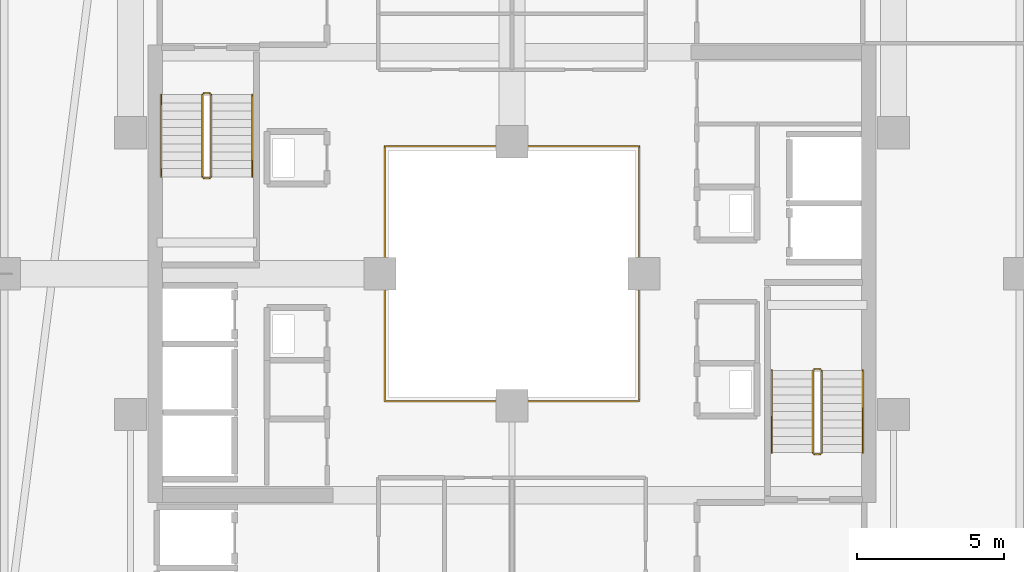
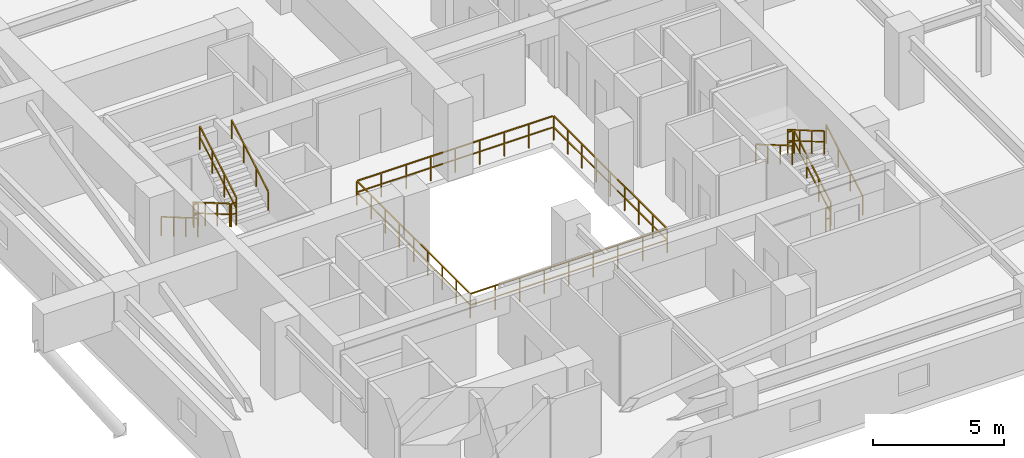
# One storey, part 35 of 36: 13 railings.
"""IFC4 building model written with IfcOpenShell, lengths in metres."""

from ifc_helpers import new_model, si_unit, direction, frame, origin, origin_2d, place, context, subcontext, project, spatial, rectangle, extrude, material, type_object, element, save


model = new_model("IFC4")

# Units and contexts
model_context = context("Model", 3, precision=1e-05, world=origin(), true_north=direction((0.0, 1.0)))
body_context = subcontext(model_context, "Body", "Model", "MODEL_VIEW")
ifc_project = project(units=[si_unit("LENGTHUNIT", "METRE"), si_unit("AREAUNIT", "SQUARE_METRE"), si_unit("VOLUMEUNIT", "CUBIC_METRE"), si_unit("PLANEANGLEUNIT", "RADIAN"), si_unit("MASSUNIT", "GRAM", prefix="KILO")], contexts=[model_context])

# Site, building, storey
site_placement = place(None, origin())
site = spatial("IfcSite", under=ifc_project, at=site_placement, CompositionType="ELEMENT")
building_placement = place(site_placement, origin())
building = spatial("IfcBuilding", under=site, at=building_placement, Name="Thornwick Lancets Civic Towers", CompositionType="ELEMENT")
storey_placement = place(building_placement, frame((0.0, 0.0, 170.699951171875)))
storey = spatial("IfcBuildingStorey", under=building, at=storey_placement, Name="L45", CompositionType="ELEMENT", Elevation=170.699951171875)

# Railings
ifc_material_1 = material(Name="Laminated glass and bronze steel S355", Category="steel")
railing_type_1 = type_object("IfcRailingType", Name="RAIL_ATRIUM_GUARD", PredefinedType="BALUSTRADE", material=ifc_material_1)
railing_1_placement = place(storey_placement, frame((84.159912109375, 22.659912109375, 0.0)))
element("IfcRailing", 1, at=railing_1_placement, inside=storey, type_object=railing_type_1, Name="L45 Tower B Central Atrium Guard Balustrade", PredefinedType="BALUSTRADE", context=body_context, shape_type="SweptSolid", body=[
    extrude(rectangle(XDim=0.048095703125, YDim=0.048095703125, at=origin_2d()), frame((0.0, 0.0, 1.1259765625), z_axis=(1.0, 0.0, 0.0), x_axis=(0.0, 1.0, 0.0)), (0.0, 0.0, 1.0), 8.64892578125),
    extrude(rectangle(XDim=0.0419921875, YDim=0.0419921875, at=origin_2d()), frame((0.03759765625, 0.0, 0.597900390625), z_axis=(1.0, 0.0, 0.0), x_axis=(0.0, 1.0, 0.0)), (0.0, 0.0, 1.0), 1.010009765625),
    extrude(rectangle(XDim=0.0419921875, YDim=0.0419921875, at=origin_2d()), frame((1.12255859375, 0.0, 0.597900390625), z_axis=(1.0, 0.0, 0.0), x_axis=(0.0, 1.0, 0.0)), (0.0, 0.0, 1.0), 1.010009765625),
    extrude(rectangle(XDim=0.0419921875, YDim=0.0419921875, at=origin_2d()), frame((2.20751953125, 0.0, 0.597900390625), z_axis=(1.0, 0.0, 0.0), x_axis=(0.0, 1.0, 0.0)), (0.0, 0.0, 1.0), 1.010009765625),
    extrude(rectangle(XDim=0.0419921875, YDim=0.0419921875, at=origin_2d()), frame((3.29248046875, 0.0, 0.597900390625), z_axis=(1.0, 0.0, 0.0), x_axis=(0.0, 1.0, 0.0)), (0.0, 0.0, 1.0), 1.010009765625),
    extrude(rectangle(XDim=0.0419921875, YDim=0.0419921875, at=origin_2d()), frame((4.377685546875, 0.0, 0.597900390625), z_axis=(1.0, 0.0, 0.0), x_axis=(0.0, 1.0, 0.0)), (0.0, 0.0, 1.0), 1.010009765625),
    extrude(rectangle(XDim=0.0419921875, YDim=0.0419921875, at=origin_2d()), frame((5.462646484375, 0.0, 0.597900390625), z_axis=(1.0, 0.0, 0.0), x_axis=(0.0, 1.0, 0.0)), (0.0, 0.0, 1.0), 1.010009765625),
    extrude(rectangle(XDim=0.0419921875, YDim=0.0419921875, at=origin_2d()), frame((6.547607421875, 0.0, 0.597900390625), z_axis=(1.0, 0.0, 0.0), x_axis=(0.0, 1.0, 0.0)), (0.0, 0.0, 1.0), 1.010009765625),
    extrude(rectangle(XDim=0.0419921875, YDim=0.0419921875, at=origin_2d()), frame((7.632568359375, 0.0, 0.597900390625), z_axis=(1.0, 0.0, 0.0), x_axis=(0.0, 1.0, 0.0)), (0.0, 0.0, 1.0), 1.010009765625),
    extrude(rectangle(XDim=0.048095703125, YDim=0.048095703125, at=origin_2d()), frame((8.68017578125, 0.03125, 1.1259765625), z_axis=(0.0, 1.0, 0.0), x_axis=(-1.0, 0.0, 0.0)), (0.0, 0.0, 1.0), 8.61767578125),
    extrude(rectangle(XDim=0.0419921875, YDim=0.0419921875, at=origin_2d()), frame((8.68017578125, 0.03759765625, 0.597900390625), z_axis=(0.0, 1.0, 0.0), x_axis=(-1.0, 0.0, 0.0)), (0.0, 0.0, 1.0), 1.010009765625),
    extrude(rectangle(XDim=0.0419921875, YDim=0.0419921875, at=origin_2d()), frame((8.68017578125, 1.12255859375, 0.597900390625), z_axis=(0.0, 1.0, 0.0), x_axis=(-1.0, 0.0, 0.0)), (0.0, 0.0, 1.0), 1.010009765625),
    extrude(rectangle(XDim=0.0419921875, YDim=0.0419921875, at=origin_2d()), frame((8.68017578125, 2.20751953125, 0.597900390625), z_axis=(0.0, 1.0, 0.0), x_axis=(-1.0, 0.0, 0.0)), (0.0, 0.0, 1.0), 1.010009765625),
    extrude(rectangle(XDim=0.0419921875, YDim=0.0419921875, at=origin_2d()), frame((8.68017578125, 3.29248046875, 0.597900390625), z_axis=(0.0, 1.0, 0.0), x_axis=(-1.0, 0.0, 0.0)), (0.0, 0.0, 1.0), 1.010009765625),
    extrude(rectangle(XDim=0.0419921875, YDim=0.0419921875, at=origin_2d()), frame((8.68017578125, 4.377685546875, 0.597900390625), z_axis=(0.0, 1.0, 0.0), x_axis=(-1.0, 0.0, 0.0)), (0.0, 0.0, 1.0), 1.010009765625),
    extrude(rectangle(XDim=0.0419921875, YDim=0.0419921875, at=origin_2d()), frame((8.68017578125, 5.462646484375, 0.597900390625), z_axis=(0.0, 1.0, 0.0), x_axis=(-1.0, 0.0, 0.0)), (0.0, 0.0, 1.0), 1.010009765625),
    extrude(rectangle(XDim=0.0419921875, YDim=0.0419921875, at=origin_2d()), frame((8.68017578125, 6.547607421875, 0.597900390625), z_axis=(0.0, 1.0, 0.0), x_axis=(-1.0, 0.0, 0.0)), (0.0, 0.0, 1.0), 1.010009765625),
    extrude(rectangle(XDim=0.0419921875, YDim=0.0419921875, at=origin_2d()), frame((8.68017578125, 7.632568359375, 0.597900390625), z_axis=(0.0, 1.0, 0.0), x_axis=(-1.0, 0.0, 0.0)), (0.0, 0.0, 1.0), 1.010009765625),
    extrude(rectangle(XDim=0.048095703125, YDim=0.048095703125, at=origin_2d()), frame((8.64892578125, 8.68017578125, 1.1259765625), z_axis=(-1.0, 0.0, 0.0), x_axis=(0.0, -1.0, 0.0)), (0.0, 0.0, 1.0), 8.61767578125),
    extrude(rectangle(XDim=0.0419921875, YDim=0.0419921875, at=origin_2d()), frame((8.642578125, 8.68017578125, 0.597900390625), z_axis=(-1.0, 0.0, 0.0), x_axis=(0.0, -1.0, 0.0)), (0.0, 0.0, 1.0), 1.010009765625),
    extrude(rectangle(XDim=0.0419921875, YDim=0.0419921875, at=origin_2d()), frame((7.5576171875, 8.68017578125, 0.597900390625), z_axis=(-1.0, 0.0, 0.0), x_axis=(0.0, -1.0, 0.0)), (0.0, 0.0, 1.0), 1.010009765625),
    extrude(rectangle(XDim=0.0419921875, YDim=0.0419921875, at=origin_2d()), frame((6.47265625, 8.68017578125, 0.597900390625), z_axis=(-1.0, 0.0, 0.0), x_axis=(0.0, -1.0, 0.0)), (0.0, 0.0, 1.0), 1.010009765625),
    extrude(rectangle(XDim=0.0419921875, YDim=0.0419921875, at=origin_2d()), frame((5.3876953125, 8.68017578125, 0.597900390625), z_axis=(-1.0, 0.0, 0.0), x_axis=(0.0, -1.0, 0.0)), (0.0, 0.0, 1.0), 1.010009765625),
    extrude(rectangle(XDim=0.0419921875, YDim=0.0419921875, at=origin_2d()), frame((4.302490234375, 8.68017578125, 0.597900390625), z_axis=(-1.0, 0.0, 0.0), x_axis=(0.0, -1.0, 0.0)), (0.0, 0.0, 1.0), 1.010009765625),
    extrude(rectangle(XDim=0.0419921875, YDim=0.0419921875, at=origin_2d()), frame((3.217529296875, 8.68017578125, 0.597900390625), z_axis=(-1.0, 0.0, 0.0), x_axis=(0.0, -1.0, 0.0)), (0.0, 0.0, 1.0), 1.010009765625),
    extrude(rectangle(XDim=0.0419921875, YDim=0.0419921875, at=origin_2d()), frame((2.132568359375, 8.68017578125, 0.597900390625), z_axis=(-1.0, 0.0, 0.0), x_axis=(0.0, -1.0, 0.0)), (0.0, 0.0, 1.0), 1.010009765625),
    extrude(rectangle(XDim=0.0419921875, YDim=0.0419921875, at=origin_2d()), frame((1.047607421875, 8.68017578125, 0.597900390625), z_axis=(-1.0, 0.0, 0.0), x_axis=(0.0, -1.0, 0.0)), (0.0, 0.0, 1.0), 1.010009765625),
    extrude(rectangle(XDim=0.048095703125, YDim=0.048095703125, at=origin_2d()), frame((0.0, 8.64892578125, 1.1259765625), z_axis=(0.0, -1.0, 0.0), x_axis=(1.0, 0.0, 0.0)), (0.0, 0.0, 1.0), 8.64892578125),
    extrude(rectangle(XDim=0.0419921875, YDim=0.0419921875, at=origin_2d()), frame((0.0, 8.642578125, 0.597900390625), z_axis=(0.0, -1.0, 0.0), x_axis=(1.0, 0.0, 0.0)), (0.0, 0.0, 1.0), 1.010009765625),
    extrude(rectangle(XDim=0.0419921875, YDim=0.0419921875, at=origin_2d()), frame((0.0, 7.5576171875, 0.597900390625), z_axis=(0.0, -1.0, 0.0), x_axis=(1.0, 0.0, 0.0)), (0.0, 0.0, 1.0), 1.010009765625),
    extrude(rectangle(XDim=0.0419921875, YDim=0.0419921875, at=origin_2d()), frame((0.0, 6.47265625, 0.597900390625), z_axis=(0.0, -1.0, 0.0), x_axis=(1.0, 0.0, 0.0)), (0.0, 0.0, 1.0), 1.010009765625),
    extrude(rectangle(XDim=0.0419921875, YDim=0.0419921875, at=origin_2d()), frame((0.0, 5.3876953125, 0.597900390625), z_axis=(0.0, -1.0, 0.0), x_axis=(1.0, 0.0, 0.0)), (0.0, 0.0, 1.0), 1.010009765625),
    extrude(rectangle(XDim=0.0419921875, YDim=0.0419921875, at=origin_2d()), frame((0.0, 4.302490234375, 0.597900390625), z_axis=(0.0, -1.0, 0.0), x_axis=(1.0, 0.0, 0.0)), (0.0, 0.0, 1.0), 1.010009765625),
    extrude(rectangle(XDim=0.0419921875, YDim=0.0419921875, at=origin_2d()), frame((0.0, 3.217529296875, 0.597900390625), z_axis=(0.0, -1.0, 0.0), x_axis=(1.0, 0.0, 0.0)), (0.0, 0.0, 1.0), 1.010009765625),
    extrude(rectangle(XDim=0.0419921875, YDim=0.0419921875, at=origin_2d()), frame((0.0, 2.132568359375, 0.597900390625), z_axis=(0.0, -1.0, 0.0), x_axis=(1.0, 0.0, 0.0)), (0.0, 0.0, 1.0), 1.010009765625),
    extrude(rectangle(XDim=0.0419921875, YDim=0.0419921875, at=origin_2d()), frame((0.0, 1.047607421875, 0.597900390625), z_axis=(0.0, -1.0, 0.0), x_axis=(1.0, 0.0, 0.0)), (0.0, 0.0, 1.0), 1.010009765625),
    extrude(rectangle(XDim=0.0419921875, YDim=0.0419921875, at=origin_2d()), origin(), (0.0, 0.0, 1.0), 1.095703125),
    extrude(rectangle(XDim=0.0419921875, YDim=0.0419921875, at=origin_2d()), frame((1.0849609375, 0.0, 0.0)), (0.0, 0.0, 1.0), 1.095703125),
    extrude(rectangle(XDim=0.0419921875, YDim=0.0419921875, at=origin_2d()), frame((2.169921875, 0.0, 0.0)), (0.0, 0.0, 1.0), 1.095703125),
    extrude(rectangle(XDim=0.0419921875, YDim=0.0419921875, at=origin_2d()), frame((3.255126953125, 0.0, 0.0)), (0.0, 0.0, 1.0), 1.095703125),
    extrude(rectangle(XDim=0.0419921875, YDim=0.0419921875, at=origin_2d()), frame((4.340087890625, 0.0, 0.0)), (0.0, 0.0, 1.0), 1.095703125),
    extrude(rectangle(XDim=0.0419921875, YDim=0.0419921875, at=origin_2d()), frame((5.425048828125, 0.0, 0.0)), (0.0, 0.0, 1.0), 1.095703125),
    extrude(rectangle(XDim=0.0419921875, YDim=0.0419921875, at=origin_2d()), frame((6.51025390625, 0.0, 0.0)), (0.0, 0.0, 1.0), 1.095703125),
    extrude(rectangle(XDim=0.0419921875, YDim=0.0419921875, at=origin_2d()), frame((7.59521484375, 0.0, 0.0)), (0.0, 0.0, 1.0), 1.095703125),
    extrude(rectangle(XDim=0.0419921875, YDim=0.0419921875, at=origin_2d()), frame((8.68017578125, 0.0, 0.0)), (0.0, 0.0, 1.0), 1.095703125),
    extrude(rectangle(XDim=0.0419921875, YDim=0.0419921875, at=origin_2d()), frame((8.68017578125, 1.0849609375, 0.0)), (0.0, 0.0, 1.0), 1.095703125),
    extrude(rectangle(XDim=0.0419921875, YDim=0.0419921875, at=origin_2d()), frame((8.68017578125, 2.169921875, 0.0)), (0.0, 0.0, 1.0), 1.095703125),
    extrude(rectangle(XDim=0.0419921875, YDim=0.0419921875, at=origin_2d()), frame((8.68017578125, 3.255126953125, 0.0)), (0.0, 0.0, 1.0), 1.095703125),
    extrude(rectangle(XDim=0.0419921875, YDim=0.0419921875, at=origin_2d()), frame((8.68017578125, 4.340087890625, 0.0)), (0.0, 0.0, 1.0), 1.095703125),
    extrude(rectangle(XDim=0.0419921875, YDim=0.0419921875, at=origin_2d()), frame((8.68017578125, 5.425048828125, 0.0)), (0.0, 0.0, 1.0), 1.095703125),
    extrude(rectangle(XDim=0.0419921875, YDim=0.0419921875, at=origin_2d()), frame((8.68017578125, 6.51025390625, 0.0)), (0.0, 0.0, 1.0), 1.095703125),
    extrude(rectangle(XDim=0.0419921875, YDim=0.0419921875, at=origin_2d()), frame((8.68017578125, 7.59521484375, 0.0)), (0.0, 0.0, 1.0), 1.095703125),
    extrude(rectangle(XDim=0.0419921875, YDim=0.0419921875, at=origin_2d()), frame((8.68017578125, 8.68017578125, 0.0)), (0.0, 0.0, 1.0), 1.095703125),
    extrude(rectangle(XDim=0.0419921875, YDim=0.0419921875, at=origin_2d()), frame((7.59521484375, 8.68017578125, 0.0)), (0.0, 0.0, 1.0), 1.095703125),
    extrude(rectangle(XDim=0.0419921875, YDim=0.0419921875, at=origin_2d()), frame((6.51025390625, 8.68017578125, 0.0)), (0.0, 0.0, 1.0), 1.095703125),
    extrude(rectangle(XDim=0.0419921875, YDim=0.0419921875, at=origin_2d()), frame((5.425048828125, 8.68017578125, 0.0)), (0.0, 0.0, 1.0), 1.095703125),
    extrude(rectangle(XDim=0.0419921875, YDim=0.0419921875, at=origin_2d()), frame((4.340087890625, 8.68017578125, 0.0)), (0.0, 0.0, 1.0), 1.095703125),
    extrude(rectangle(XDim=0.0419921875, YDim=0.0419921875, at=origin_2d()), frame((3.255126953125, 8.68017578125, 0.0)), (0.0, 0.0, 1.0), 1.095703125),
    extrude(rectangle(XDim=0.0419921875, YDim=0.0419921875, at=origin_2d()), frame((2.169921875, 8.68017578125, 0.0)), (0.0, 0.0, 1.0), 1.095703125),
    extrude(rectangle(XDim=0.0419921875, YDim=0.0419921875, at=origin_2d()), frame((1.0849609375, 8.68017578125, 0.0)), (0.0, 0.0, 1.0), 1.095703125),
    extrude(rectangle(XDim=0.0419921875, YDim=0.0419921875, at=origin_2d()), frame((0.0, 8.68017578125, 0.0)), (0.0, 0.0, 1.0), 1.095703125),
    extrude(rectangle(XDim=0.0419921875, YDim=0.0419921875, at=origin_2d()), frame((0.0, 7.59521484375, 0.0)), (0.0, 0.0, 1.0), 1.095703125),
    extrude(rectangle(XDim=0.0419921875, YDim=0.0419921875, at=origin_2d()), frame((0.0, 6.51025390625, 0.0)), (0.0, 0.0, 1.0), 1.095703125),
    extrude(rectangle(XDim=0.0419921875, YDim=0.0419921875, at=origin_2d()), frame((0.0, 5.425048828125, 0.0)), (0.0, 0.0, 1.0), 1.095703125),
    extrude(rectangle(XDim=0.0419921875, YDim=0.0419921875, at=origin_2d()), frame((0.0, 4.340087890625, 0.0)), (0.0, 0.0, 1.0), 1.095703125),
    extrude(rectangle(XDim=0.0419921875, YDim=0.0419921875, at=origin_2d()), frame((0.0, 3.255126953125, 0.0)), (0.0, 0.0, 1.0), 1.095703125),
    extrude(rectangle(XDim=0.0419921875, YDim=0.0419921875, at=origin_2d()), frame((0.0, 2.169921875, 0.0)), (0.0, 0.0, 1.0), 1.095703125),
    extrude(rectangle(XDim=0.0419921875, YDim=0.0419921875, at=origin_2d()), frame((0.0, 1.0849609375, 0.0)), (0.0, 0.0, 1.0), 1.095703125),
])
ifc_material_2 = material(Name="Brushed stainless steel S355", Category="steel")
railing_type_2 = type_object("IfcRailingType", Name="RAIL_HANDRAIL", PredefinedType="HANDRAIL", material=ifc_material_2)
railing_2_placement = place(storey_placement, frame((100.449951171875, 20.89990234375, 0.16357421875)))
element("IfcRailing", 2, at=railing_2_placement, inside=storey, type_object=railing_type_2, Name="L45 ST-B1 stair handrail 1", PredefinedType="HANDRAIL", context=body_context, shape_type="SweptSolid", body=[
    extrude(rectangle(XDim=0.048095703125, YDim=0.048095703125, at=origin_2d()), frame((0.0, 0.0, 0.8857421875), z_axis=(0.0, 0.863360870873, 0.504586966384), x_axis=(-1.0, 0.0, 0.0)), (0.0, 0.0, 1.0), 3.2431640625),
    extrude(rectangle(XDim=0.0419921875, YDim=0.0419921875, at=origin_2d()), origin(), (0.0, 0.0, 1.0), 0.855712890625),
    extrude(rectangle(XDim=0.0419921875, YDim=0.0419921875, at=origin_2d()), frame((0.0, 0.933349609375, 0.54541015625)), (0.0, 0.0, 1.0), 0.855712890625),
    extrude(rectangle(XDim=0.0419921875, YDim=0.0419921875, at=origin_2d()), frame((0.0, 1.86669921875, 1.091064453125)), (0.0, 0.0, 1.0), 0.855712890625),
    extrude(rectangle(XDim=0.0419921875, YDim=0.0419921875, at=origin_2d()), frame((0.0, 2.800048828125, 1.636474609375)), (0.0, 0.0, 1.0), 0.855712890625),
])
for number, where, name in (
    (3, (97.35009765625, 23.699951171875, 1.963623046875), "L45 ST-B1 stair handrail 2"),
    (4, (76.550048828125, 33.10009765625, 0.16357421875), "L45 ST-B2 stair handrail 1"),
):
    element("IfcRailing", number, at=place(storey_placement, frame(where)), inside=storey, type_object=railing_type_2, Name=name, PredefinedType="HANDRAIL", context=body_context, shape_type="SweptSolid", body=[
        extrude(rectangle(XDim=0.048095703125, YDim=0.048095703125, at=origin_2d()), frame((0.0, 0.0, 0.8857421875), z_axis=(0.0, -0.863360870873, 0.504586966384), x_axis=(1.0, 0.0, 0.0)), (0.0, 0.0, 1.0), 3.2431640625),
        extrude(rectangle(XDim=0.0419921875, YDim=0.0419921875, at=origin_2d()), origin(), (0.0, 0.0, 1.0), 0.855712890625),
        extrude(rectangle(XDim=0.0419921875, YDim=0.0419921875, at=origin_2d()), frame((0.0, -0.933349609375, 0.54541015625)), (0.0, 0.0, 1.0), 0.855712890625),
        extrude(rectangle(XDim=0.0419921875, YDim=0.0419921875, at=origin_2d()), frame((0.0, -1.86669921875, 1.091064453125)), (0.0, 0.0, 1.0), 0.855712890625),
        extrude(rectangle(XDim=0.0419921875, YDim=0.0419921875, at=origin_2d()), frame((0.0, -2.800048828125, 1.636474609375)), (0.0, 0.0, 1.0), 0.855712890625),
    ])
railing_3_placement = place(storey_placement, frame((79.64990234375, 30.300048828125, 1.963623046875)))
element("IfcRailing", 5, at=railing_3_placement, inside=storey, type_object=railing_type_2, Name="L45 ST-B2 stair handrail 2", PredefinedType="HANDRAIL", context=body_context, shape_type="SweptSolid", body=[
    extrude(rectangle(XDim=0.048095703125, YDim=0.048095703125, at=origin_2d()), frame((0.0, 0.0, 0.8857421875), z_axis=(0.0, 0.863360870873, 0.504586966384), x_axis=(-1.0, 0.0, 0.0)), (0.0, 0.0, 1.0), 3.2431640625),
    extrude(rectangle(XDim=0.0419921875, YDim=0.0419921875, at=origin_2d()), origin(), (0.0, 0.0, 1.0), 0.855712890625),
    extrude(rectangle(XDim=0.0419921875, YDim=0.0419921875, at=origin_2d()), frame((0.0, 0.933349609375, 0.54541015625)), (0.0, 0.0, 1.0), 0.855712890625),
    extrude(rectangle(XDim=0.0419921875, YDim=0.0419921875, at=origin_2d()), frame((0.0, 1.86669921875, 1.091064453125)), (0.0, 0.0, 1.0), 0.855712890625),
    extrude(rectangle(XDim=0.0419921875, YDim=0.0419921875, at=origin_2d()), frame((0.0, 2.800048828125, 1.636474609375)), (0.0, 0.0, 1.0), 0.855712890625),
])
ifc_material_3 = material(Name="Steel S355JR", Category="steel")
railing_type_3 = type_object("IfcRailingType", Name="RAIL_STAIR_GUARD", PredefinedType="GUARDRAIL", material=ifc_material_3)
railing_4_placement = place(storey_placement, frame((99.050048828125, 20.89990234375, 0.16357421875)))
element("IfcRailing", 6, at=railing_4_placement, inside=storey, type_object=railing_type_3, Name="L45 ST-B1 stair guard 1", PredefinedType="GUARDRAIL", context=body_context, shape_type="SweptSolid", body=[
    extrude(rectangle(XDim=0.048095703125, YDim=0.048095703125, at=origin_2d()), frame((0.0, 0.0, 1.076171875), z_axis=(0.0, 0.863360870873, 0.504586966384), x_axis=(-1.0, 0.0, 0.0)), (0.0, 0.0, 1.0), 3.2431640625),
    extrude(rectangle(XDim=0.0419921875, YDim=0.0419921875, at=origin_2d()), frame((0.0, 0.032470703125, 0.591064453125), z_axis=(0.0, 0.863360870873, 0.504586966384), x_axis=(-1.0, 0.0, 0.0)), (0.0, 0.0, 1.0), 1.006103515625),
    extrude(rectangle(XDim=0.0419921875, YDim=0.0419921875, at=origin_2d()), frame((0.0, 0.9658203125, 1.136474609375), z_axis=(0.0, 0.863360870873, 0.504586966384), x_axis=(-1.0, 0.0, 0.0)), (0.0, 0.0, 1.0), 1.006103515625),
    extrude(rectangle(XDim=0.0419921875, YDim=0.0419921875, at=origin_2d()), frame((0.0, 1.899169921875, 1.681884765625), z_axis=(0.0, 0.863360870873, 0.504586966384), x_axis=(-1.0, 0.0, 0.0)), (0.0, 0.0, 1.0), 1.006103515625),
    extrude(rectangle(XDim=0.0419921875, YDim=0.0419921875, at=origin_2d()), origin(), (0.0, 0.0, 1.0), 1.0458984375),
    extrude(rectangle(XDim=0.0419921875, YDim=0.0419921875, at=origin_2d()), frame((0.0, 0.933349609375, 0.54541015625)), (0.0, 0.0, 1.0), 1.0458984375),
    extrude(rectangle(XDim=0.0419921875, YDim=0.0419921875, at=origin_2d()), frame((0.0, 1.86669921875, 1.091064453125)), (0.0, 0.0, 1.0), 1.0458984375),
    extrude(rectangle(XDim=0.0419921875, YDim=0.0419921875, at=origin_2d()), frame((0.0, 2.800048828125, 1.636474609375)), (0.0, 0.0, 1.0), 1.0458984375),
])
railing_5_placement = place(storey_placement, frame((99.0, 23.75, 1.800048828125)))
element("IfcRailing", 7, at=railing_5_placement, inside=storey, type_object=railing_type_3, Name="L45 ST-B1 stair guard 2", PredefinedType="GUARDRAIL", context=body_context, shape_type="SweptSolid", body=[
    extrude(rectangle(XDim=0.048095703125, YDim=0.048095703125, at=origin_2d()), frame((0.0, 0.0, 1.076171875), z_axis=(-1.0, 0.0, 0.0), x_axis=(0.0, -1.0, 0.0)), (0.0, 0.0, 1.0), 0.199951171875),
    extrude(rectangle(XDim=0.0419921875, YDim=0.0419921875, at=origin_2d()), frame((-0.03759765625, 0.0, 0.572021484375), z_axis=(-1.0, 0.0, 0.0), x_axis=(0.0, -1.0, 0.0)), (0.0, 0.0, 1.0), 0.125),
    extrude(rectangle(XDim=0.0419921875, YDim=0.0419921875, at=origin_2d()), origin(), (0.0, 0.0, 1.0), 1.0458984375),
    extrude(rectangle(XDim=0.0419921875, YDim=0.0419921875, at=origin_2d()), frame((-0.199951171875, 0.0, 0.0)), (0.0, 0.0, 1.0), 1.0458984375),
])
railing_6_placement = place(storey_placement, frame((98.75, 23.699951171875, 1.963623046875)))
element("IfcRailing", 8, at=railing_6_placement, inside=storey, type_object=railing_type_3, Name="L45 ST-B1 stair guard 3", PredefinedType="GUARDRAIL", context=body_context, shape_type="SweptSolid", body=[
    extrude(rectangle(XDim=0.048095703125, YDim=0.048095703125, at=origin_2d()), frame((0.0, 0.0, 1.076171875), z_axis=(0.0, -0.863360870873, 0.504586966384), x_axis=(1.0, 0.0, 0.0)), (0.0, 0.0, 1.0), 3.2431640625),
    extrude(rectangle(XDim=0.0419921875, YDim=0.0419921875, at=origin_2d()), frame((0.0, -0.032470703125, 0.591064453125), z_axis=(0.0, -0.863360870873, 0.504586966384), x_axis=(1.0, 0.0, 0.0)), (0.0, 0.0, 1.0), 1.006103515625),
    extrude(rectangle(XDim=0.0419921875, YDim=0.0419921875, at=origin_2d()), frame((0.0, -0.9658203125, 1.136474609375), z_axis=(0.0, -0.863360870873, 0.504586966384), x_axis=(1.0, 0.0, 0.0)), (0.0, 0.0, 1.0), 1.006103515625),
    extrude(rectangle(XDim=0.0419921875, YDim=0.0419921875, at=origin_2d()), frame((0.0, -1.899169921875, 1.681884765625), z_axis=(0.0, -0.863360870873, 0.504586966384), x_axis=(1.0, 0.0, 0.0)), (0.0, 0.0, 1.0), 1.006103515625),
    extrude(rectangle(XDim=0.0419921875, YDim=0.0419921875, at=origin_2d()), origin(), (0.0, 0.0, 1.0), 1.0458984375),
    extrude(rectangle(XDim=0.0419921875, YDim=0.0419921875, at=origin_2d()), frame((0.0, -0.933349609375, 0.54541015625)), (0.0, 0.0, 1.0), 1.0458984375),
    extrude(rectangle(XDim=0.0419921875, YDim=0.0419921875, at=origin_2d()), frame((0.0, -1.86669921875, 1.091064453125)), (0.0, 0.0, 1.0), 1.0458984375),
    extrude(rectangle(XDim=0.0419921875, YDim=0.0419921875, at=origin_2d()), frame((0.0, -2.800048828125, 1.636474609375)), (0.0, 0.0, 1.0), 1.0458984375),
])
railing_7_placement = place(storey_placement, frame((99.0, 20.85009765625, 0.0)))
element("IfcRailing", 9, at=railing_7_placement, inside=storey, type_object=railing_type_3, Name="L45 ST-B1 stair guard 4", PredefinedType="GUARDRAIL", context=body_context, shape_type="SweptSolid", body=[
    extrude(rectangle(XDim=0.048095703125, YDim=0.048095703125, at=origin_2d()), frame((0.0, 0.0, 1.076171875), z_axis=(-1.0, 0.0, 0.0), x_axis=(0.0, -1.0, 0.0)), (0.0, 0.0, 1.0), 0.199951171875),
    extrude(rectangle(XDim=0.0419921875, YDim=0.0419921875, at=origin_2d()), frame((-0.03759765625, 0.0, 0.572021484375), z_axis=(-1.0, 0.0, 0.0), x_axis=(0.0, -1.0, 0.0)), (0.0, 0.0, 1.0), 0.125),
    extrude(rectangle(XDim=0.0419921875, YDim=0.0419921875, at=origin_2d()), origin(), (0.0, 0.0, 1.0), 1.0458984375),
    extrude(rectangle(XDim=0.0419921875, YDim=0.0419921875, at=origin_2d()), frame((-0.199951171875, 0.0, 0.0)), (0.0, 0.0, 1.0), 1.0458984375),
])
railing_8_placement = place(storey_placement, frame((77.949951171875, 33.10009765625, 0.16357421875)))
element("IfcRailing", 10, at=railing_8_placement, inside=storey, type_object=railing_type_3, Name="L45 ST-B2 stair guard 1", PredefinedType="GUARDRAIL", context=body_context, shape_type="SweptSolid", body=[
    extrude(rectangle(XDim=0.048095703125, YDim=0.048095703125, at=origin_2d()), frame((0.0, 0.0, 1.076171875), z_axis=(0.0, -0.863360870873, 0.504586966384), x_axis=(1.0, 0.0, 0.0)), (0.0, 0.0, 1.0), 3.2431640625),
    extrude(rectangle(XDim=0.0419921875, YDim=0.0419921875, at=origin_2d()), frame((0.0, -0.032470703125, 0.591064453125), z_axis=(0.0, -0.863360870873, 0.504586966384), x_axis=(1.0, 0.0, 0.0)), (0.0, 0.0, 1.0), 1.006103515625),
    extrude(rectangle(XDim=0.0419921875, YDim=0.0419921875, at=origin_2d()), frame((0.0, -0.9658203125, 1.136474609375), z_axis=(0.0, -0.863360870873, 0.504586966384), x_axis=(1.0, 0.0, 0.0)), (0.0, 0.0, 1.0), 1.006103515625),
    extrude(rectangle(XDim=0.0419921875, YDim=0.0419921875, at=origin_2d()), frame((0.0, -1.899169921875, 1.681884765625), z_axis=(0.0, -0.863360870873, 0.504586966384), x_axis=(1.0, 0.0, 0.0)), (0.0, 0.0, 1.0), 1.006103515625),
    extrude(rectangle(XDim=0.0419921875, YDim=0.0419921875, at=origin_2d()), origin(), (0.0, 0.0, 1.0), 1.0458984375),
    extrude(rectangle(XDim=0.0419921875, YDim=0.0419921875, at=origin_2d()), frame((0.0, -0.933349609375, 0.54541015625)), (0.0, 0.0, 1.0), 1.0458984375),
    extrude(rectangle(XDim=0.0419921875, YDim=0.0419921875, at=origin_2d()), frame((0.0, -1.86669921875, 1.091064453125)), (0.0, 0.0, 1.0), 1.0458984375),
    extrude(rectangle(XDim=0.0419921875, YDim=0.0419921875, at=origin_2d()), frame((0.0, -2.800048828125, 1.636474609375)), (0.0, 0.0, 1.0), 1.0458984375),
])
railing_9_placement = place(storey_placement, frame((78.0, 30.25, 1.800048828125)))
element("IfcRailing", 11, at=railing_9_placement, inside=storey, type_object=railing_type_3, Name="L45 ST-B2 stair guard 2", PredefinedType="GUARDRAIL", context=body_context, shape_type="SweptSolid", body=[
    extrude(rectangle(XDim=0.048095703125, YDim=0.048095703125, at=origin_2d()), frame((0.0, 0.0, 1.076171875), z_axis=(1.0, 0.0, 0.0), x_axis=(0.0, 1.0, 0.0)), (0.0, 0.0, 1.0), 0.199951171875),
    extrude(rectangle(XDim=0.0419921875, YDim=0.0419921875, at=origin_2d()), frame((0.03759765625, 0.0, 0.572021484375), z_axis=(1.0, 0.0, 0.0), x_axis=(0.0, 1.0, 0.0)), (0.0, 0.0, 1.0), 0.125),
    extrude(rectangle(XDim=0.0419921875, YDim=0.0419921875, at=origin_2d()), origin(), (0.0, 0.0, 1.0), 1.0458984375),
    extrude(rectangle(XDim=0.0419921875, YDim=0.0419921875, at=origin_2d()), frame((0.199951171875, 0.0, 0.0)), (0.0, 0.0, 1.0), 1.0458984375),
])
railing_10_placement = place(storey_placement, frame((78.25, 30.300048828125, 1.963623046875)))
element("IfcRailing", 12, at=railing_10_placement, inside=storey, type_object=railing_type_3, Name="L45 ST-B2 stair guard 3", PredefinedType="GUARDRAIL", context=body_context, shape_type="SweptSolid", body=[
    extrude(rectangle(XDim=0.048095703125, YDim=0.048095703125, at=origin_2d()), frame((0.0, 0.0, 1.076171875), z_axis=(0.0, 0.863360870873, 0.504586966384), x_axis=(-1.0, 0.0, 0.0)), (0.0, 0.0, 1.0), 3.2431640625),
    extrude(rectangle(XDim=0.0419921875, YDim=0.0419921875, at=origin_2d()), frame((0.0, 0.032470703125, 0.591064453125), z_axis=(0.0, 0.863360870873, 0.504586966384), x_axis=(-1.0, 0.0, 0.0)), (0.0, 0.0, 1.0), 1.006103515625),
    extrude(rectangle(XDim=0.0419921875, YDim=0.0419921875, at=origin_2d()), frame((0.0, 0.9658203125, 1.136474609375), z_axis=(0.0, 0.863360870873, 0.504586966384), x_axis=(-1.0, 0.0, 0.0)), (0.0, 0.0, 1.0), 1.006103515625),
    extrude(rectangle(XDim=0.0419921875, YDim=0.0419921875, at=origin_2d()), frame((0.0, 1.899169921875, 1.681884765625), z_axis=(0.0, 0.863360870873, 0.504586966384), x_axis=(-1.0, 0.0, 0.0)), (0.0, 0.0, 1.0), 1.006103515625),
    extrude(rectangle(XDim=0.0419921875, YDim=0.0419921875, at=origin_2d()), origin(), (0.0, 0.0, 1.0), 1.0458984375),
    extrude(rectangle(XDim=0.0419921875, YDim=0.0419921875, at=origin_2d()), frame((0.0, 0.933349609375, 0.54541015625)), (0.0, 0.0, 1.0), 1.0458984375),
    extrude(rectangle(XDim=0.0419921875, YDim=0.0419921875, at=origin_2d()), frame((0.0, 1.86669921875, 1.091064453125)), (0.0, 0.0, 1.0), 1.0458984375),
    extrude(rectangle(XDim=0.0419921875, YDim=0.0419921875, at=origin_2d()), frame((0.0, 2.800048828125, 1.636474609375)), (0.0, 0.0, 1.0), 1.0458984375),
])
railing_11_placement = place(storey_placement, frame((78.0, 33.14990234375, 0.0)))
element("IfcRailing", 13, at=railing_11_placement, inside=storey, type_object=railing_type_3, Name="L45 ST-B2 stair guard 4", PredefinedType="GUARDRAIL", context=body_context, shape_type="SweptSolid", body=[
    extrude(rectangle(XDim=0.048095703125, YDim=0.048095703125, at=origin_2d()), frame((0.0, 0.0, 1.076171875), z_axis=(1.0, 0.0, 0.0), x_axis=(0.0, 1.0, 0.0)), (0.0, 0.0, 1.0), 0.199951171875),
    extrude(rectangle(XDim=0.0419921875, YDim=0.0419921875, at=origin_2d()), frame((0.03759765625, 0.0, 0.572021484375), z_axis=(1.0, 0.0, 0.0), x_axis=(0.0, 1.0, 0.0)), (0.0, 0.0, 1.0), 0.125),
    extrude(rectangle(XDim=0.0419921875, YDim=0.0419921875, at=origin_2d()), origin(), (0.0, 0.0, 1.0), 1.0458984375),
    extrude(rectangle(XDim=0.0419921875, YDim=0.0419921875, at=origin_2d()), frame((0.199951171875, 0.0, 0.0)), (0.0, 0.0, 1.0), 1.0458984375),
])

save(model, "model.ifc")
